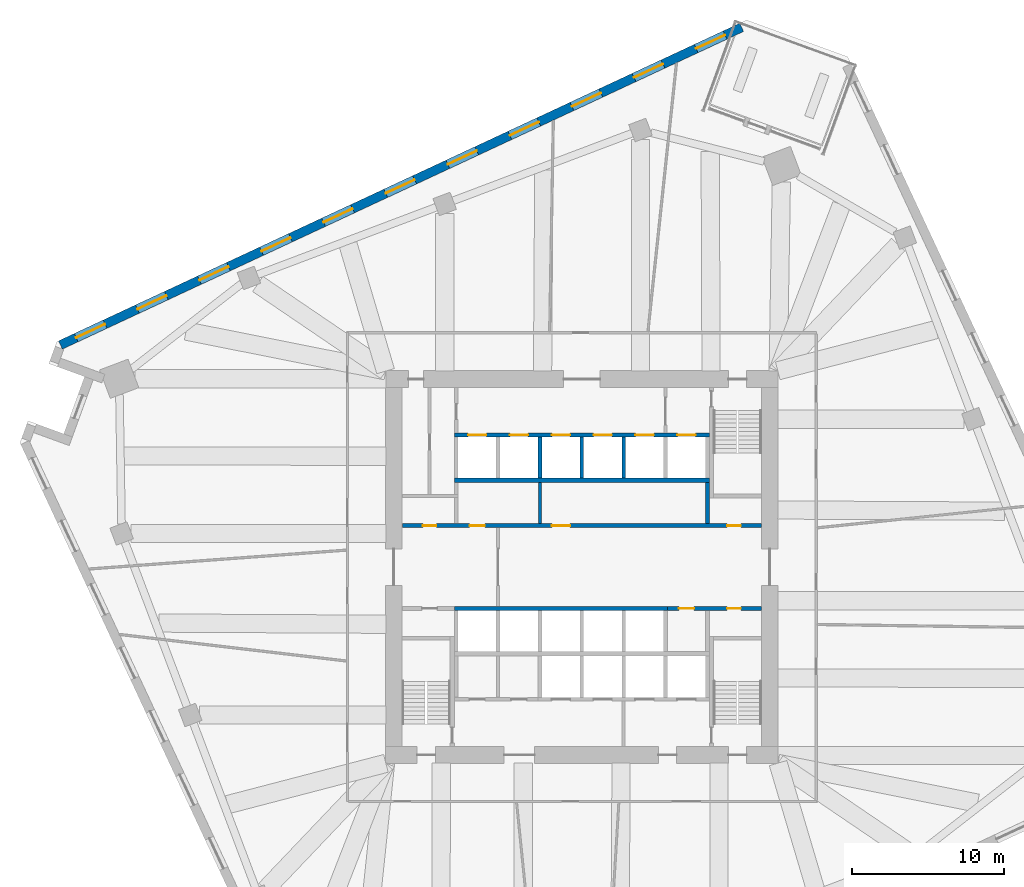
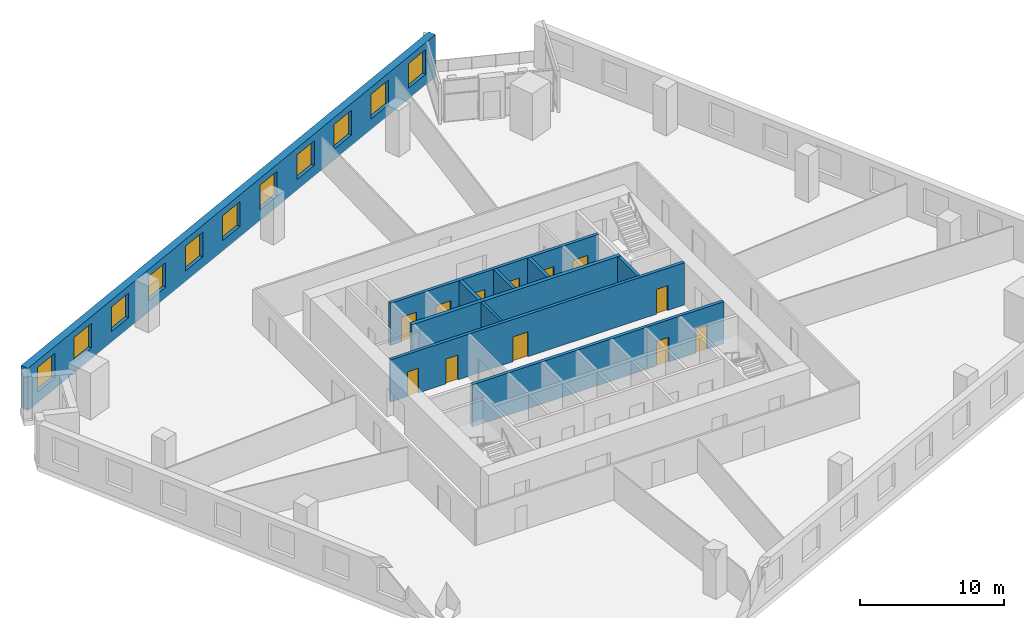
# One storey, part 8 of 12: 12 doors, 11 walls, 11 windows, 23 openings.
"""IFC4 building model written with IfcOpenShell, lengths in metres."""

from ifc_helpers import new_model, si_unit, direction, frame, frame_2d, origin, place, context, subcontext, project, spatial, rectangle, extrude, material, layer, layer_set, type_object, element, fill, save


model = new_model("IFC4")

# Units and contexts
model_context = context("Model", 3, precision=1e-05, world=origin(), true_north=direction((0.0, 1.0)))
body_context = subcontext(model_context, "Body", "Model", "MODEL_VIEW")
ifc_project = project(units=[si_unit("LENGTHUNIT", "METRE"), si_unit("AREAUNIT", "SQUARE_METRE"), si_unit("VOLUMEUNIT", "CUBIC_METRE"), si_unit("PLANEANGLEUNIT", "RADIAN"), si_unit("MASSUNIT", "GRAM", prefix="KILO")], contexts=[model_context])

# Site, building, storey
site_placement = place(None, origin())
site = spatial("IfcSite", under=ifc_project, at=site_placement, CompositionType="ELEMENT")
building_placement = place(site_placement, origin())
building = spatial("IfcBuilding", under=site, at=building_placement, Name="Dilmun Exchange Tower", CompositionType="ELEMENT")
storey_placement = place(building_placement, frame((0.0, 0.0, 122.10009765625)))
storey = spatial("IfcBuildingStorey", under=building, at=storey_placement, Name="L28", CompositionType="ELEMENT", Elevation=122.10009765625)

# Wall
ifc_material_1 = material(Name="Concrete C40/50", Category="concrete")
ifc_layer_1 = layer(ifc_material_1, 0.199951171875)
ifc_layer_set_1 = layer_set([ifc_layer_1], Name="Concrete C40/50")
wall_type_1 = type_object("IfcWallType", Name="Core partition wall 200", PredefinedType="PARTITIONING", material=ifc_layer_set_1)
wall_1_placement = place(storey_placement, frame((-2.75, 2.85498046875, 0.0), z_axis=(0.0, 0.0, 1.0), x_axis=(0.0, 1.0, 0.0)))
element("IfcWall", 1, at=wall_1_placement, inside=storey, type_object=wall_type_1, Name="L28 core partition wall 11", PredefinedType="PARTITIONING", context=body_context, shape_type="SweptSolid", body=[
    extrude(rectangle(XDim=2.68994140625, YDim=0.199951171875, at=frame_2d((1.344970703125, 0.0))), origin(), (0.0, 0.0, 1.0), 3.579833984375),
])

# Wall, openings, doors
ifc_layer_2 = layer(ifc_material_1, 0.25)
ifc_layer_set_2 = layer_set([ifc_layer_2], Name="Concrete C40/50")
wall_type_2 = type_object("IfcWallType", Name="Core partition wall 250", PredefinedType="PARTITIONING", material=ifc_layer_set_2)
wall_2_placement = place(storey_placement, frame((5.6298828125, -2.72509765625, 0.0), z_axis=(0.0, 0.0, 1.0), x_axis=(1.0, 0.0, 0.0)))
wall_2 = element("IfcWall", 2, at=wall_2_placement, inside=storey, type_object=wall_type_2, Name="L28 core partition wall 07", PredefinedType="PARTITIONING", context=body_context, shape_type="SweptSolid", body=[
    extrude(rectangle(XDim=6.1650390625, YDim=0.25, at=frame_2d((3.08251953125, 0.0))), origin(), (0.0, 0.0, 1.0), 3.579833984375),
])
opening_1_placement = place(wall_2_placement, frame((0.7451171875, 0.0, 0.0)))
opening_1 = element("IfcOpeningElement", 3, at=opening_1_placement, cuts=wall_2, Name="Opening CD4", PredefinedType="OPENING", context=body_context, shape_type="SweptSolid", body=[
    extrude(rectangle(XDim=1.0, YDim=2.10009765625, at=frame_2d((0.5, 1.050048828125))), frame((0.0, 0.135009765625, 0.0), z_axis=(0.0, -1.0, 0.0), x_axis=(1.0, 0.0, 0.0)), (0.0, 0.0, 1.0), 0.27001953125),
])
opening_2_placement = place(wall_2_placement, frame((3.919921875, 0.0, 0.0)))
opening_2 = element("IfcOpeningElement", 4, at=opening_2_placement, cuts=wall_2, Name="Opening CD6", PredefinedType="OPENING", context=body_context, shape_type="SweptSolid", body=[
    extrude(rectangle(XDim=0.89990234375, YDim=2.10009765625, at=frame_2d((0.449951171875, 1.050048828125))), frame((0.0, 0.135009765625, 0.0), z_axis=(0.0, -1.0, 0.0), x_axis=(1.0, 0.0, 0.0)), (0.0, 0.0, 1.0), 0.27001953125),
])
ifc_material_2 = material(Name="Fire-rated steel door set", Category="steel")
door_type_1 = type_object("IfcDoorType", Name="Core room door 1000x2100", OperationType="SINGLE_SWING_LEFT", PredefinedType="DOOR", material=ifc_material_2)
door_1_placement = place(opening_1_placement, origin())
door_1 = element("IfcDoor", 5, at=door_1_placement, inside=storey, type_object=door_type_1, Name="L28 door Cleaners' store", OperationType="SINGLE_SWING_LEFT", OverallHeight=2.10009765625, OverallWidth=1.0, PredefinedType="DOOR", context=body_context, shape_type="SweptSolid", body=[
    extrude(rectangle(XDim=1.0, YDim=2.10009765625, at=frame_2d((0.5, 1.050048828125))), frame((0.0, 0.02490234375, 0.0), z_axis=(0.0, -1.0, 0.0), x_axis=(1.0, 0.0, 0.0)), (0.0, 0.0, 1.0), 0.050048828125),
])
fill(opening_1, door_1)
door_type_2 = type_object("IfcDoorType", Name="Core room door 900x2100", OperationType="SINGLE_SWING_LEFT", PredefinedType="DOOR", material=ifc_material_2)
door_2_placement = place(opening_2_placement, origin())
door_2 = element("IfcDoor", 6, at=door_2_placement, inside=storey, type_object=door_type_2, Name="L28 door Comms riser", OperationType="SINGLE_SWING_LEFT", OverallHeight=2.10009765625, OverallWidth=0.89990234375, PredefinedType="DOOR", context=body_context, shape_type="SweptSolid", body=[
    extrude(rectangle(XDim=0.89990234375, YDim=2.10009765625, at=frame_2d((0.449951171875, 1.050048828125))), frame((0.0, 0.02490234375, 0.0), z_axis=(0.0, -1.0, 0.0), x_axis=(1.0, 0.0, 0.0)), (0.0, 0.0, 1.0), 0.050048828125),
])
fill(opening_2, door_2)

wall_3_placement = place(storey_placement, frame((-11.794921875, 2.72509765625, 0.0), z_axis=(0.0, 0.0, 1.0), x_axis=(1.0, 0.0, 0.0)))
wall_3 = element("IfcWall", 7, at=wall_3_placement, inside=storey, type_object=wall_type_2, Name="L28 core partition wall 09", PredefinedType="PARTITIONING", context=body_context, shape_type="SweptSolid", body=[
    extrude(rectangle(XDim=23.58984375, YDim=0.25, at=frame_2d((11.794921875, 0.0))), origin(), (0.0, 0.0, 1.0), 3.579833984375),
])
opening_3_placement = place(wall_3_placement, frame((21.344970703125, 0.0, 0.0)))
opening_3 = element("IfcOpeningElement", 8, at=opening_3_placement, cuts=wall_3, Name="Opening CD6", PredefinedType="OPENING", context=body_context, shape_type="SweptSolid", body=[
    extrude(rectangle(XDim=0.89990234375, YDim=2.10009765625, at=frame_2d((0.449951171875, 1.050048828125))), frame((0.0, 0.135009765625, 0.0), z_axis=(0.0, -1.0, 0.0), x_axis=(1.0, 0.0, 0.0)), (0.0, 0.0, 1.0), 0.27001953125),
])
opening_4_placement = place(wall_3_placement, frame((1.344970703125, 0.0, 0.0)))
opening_4 = element("IfcOpeningElement", 9, at=opening_4_placement, cuts=wall_3, Name="Opening CD6", PredefinedType="OPENING", context=body_context, shape_type="SweptSolid", body=[
    extrude(rectangle(XDim=0.89990234375, YDim=2.10009765625, at=frame_2d((0.449951171875, 1.050048828125))), frame((0.0, 0.135009765625, 0.0), z_axis=(0.0, -1.0, 0.0), x_axis=(1.0, 0.0, 0.0)), (0.0, 0.0, 1.0), 0.27001953125),
])
opening_5_placement = place(wall_3_placement, frame((4.419921875, 0.0, 0.0)))
opening_5 = element("IfcOpeningElement", 10, at=opening_5_placement, cuts=wall_3, Name="Opening CD4", PredefinedType="OPENING", context=body_context, shape_type="SweptSolid", body=[
    extrude(rectangle(XDim=1.0, YDim=2.10009765625, at=frame_2d((0.5, 1.050048828125))), frame((0.0, 0.135009765625, 0.0), z_axis=(0.0, -1.0, 0.0), x_axis=(1.0, 0.0, 0.0)), (0.0, 0.0, 1.0), 0.27001953125),
])
opening_6_placement = place(wall_3_placement, frame((9.820068359375, 0.0, 0.0)))
opening_6 = element("IfcOpeningElement", 11, at=opening_6_placement, cuts=wall_3, Name="Opening CD3", PredefinedType="OPENING", context=body_context, shape_type="SweptSolid", body=[
    extrude(rectangle(XDim=1.199951171875, YDim=2.10009765625, at=frame_2d((0.60009765625, 1.050048828125))), frame((0.0, 0.135009765625, 0.0), z_axis=(0.0, -1.0, 0.0), x_axis=(1.0, 0.0, 0.0)), (0.0, 0.0, 1.0), 0.27001953125),
])
door_3_placement = place(opening_5_placement, origin())
door_3 = element("IfcDoor", 12, at=door_3_placement, inside=storey, type_object=door_type_1, Name="L28 door Mechanical room", OperationType="SINGLE_SWING_LEFT", OverallHeight=2.10009765625, OverallWidth=1.0, PredefinedType="DOOR", context=body_context, shape_type="SweptSolid", body=[
    extrude(rectangle(XDim=1.0, YDim=2.10009765625, at=frame_2d((0.5, 1.050048828125))), frame((0.0, 0.02490234375, 0.0), z_axis=(0.0, -1.0, 0.0), x_axis=(1.0, 0.0, 0.0)), (0.0, 0.0, 1.0), 0.050048828125),
])
fill(opening_5, door_3)
door_4_placement = place(opening_3_placement, origin())
door_4 = element("IfcDoor", 13, at=door_4_placement, inside=storey, type_object=door_type_2, Name="L28 door Electrical riser", OperationType="SINGLE_SWING_LEFT", OverallHeight=2.10009765625, OverallWidth=0.89990234375, PredefinedType="DOOR", context=body_context, shape_type="SweptSolid", body=[
    extrude(rectangle(XDim=0.89990234375, YDim=2.10009765625, at=frame_2d((0.449951171875, 1.050048828125))), frame((0.0, 0.02490234375, 0.0), z_axis=(0.0, -1.0, 0.0), x_axis=(1.0, 0.0, 0.0)), (0.0, 0.0, 1.0), 0.050048828125),
])
fill(opening_3, door_4)
door_5_placement = place(opening_4_placement, origin())
door_5 = element("IfcDoor", 14, at=door_5_placement, inside=storey, type_object=door_type_2, Name="L28 door Plumbing riser", OperationType="SINGLE_SWING_LEFT", OverallHeight=2.10009765625, OverallWidth=0.89990234375, PredefinedType="DOOR", context=body_context, shape_type="SweptSolid", body=[
    extrude(rectangle(XDim=0.89990234375, YDim=2.10009765625, at=frame_2d((0.449951171875, 1.050048828125))), frame((0.0, 0.02490234375, 0.0), z_axis=(0.0, -1.0, 0.0), x_axis=(1.0, 0.0, 0.0)), (0.0, 0.0, 1.0), 0.050048828125),
])
fill(opening_4, door_5)
door_type_3 = type_object("IfcDoorType", Name="Stair exit door 1200x2100", OperationType="SINGLE_SWING_LEFT", PredefinedType="DOOR", material=ifc_material_2)
door_6_placement = place(opening_6_placement, origin())
door_6 = element("IfcDoor", 15, at=door_6_placement, inside=storey, type_object=door_type_3, Name="L28 door Tenant meeting suite", OperationType="SINGLE_SWING_LEFT", OverallHeight=2.10009765625, OverallWidth=1.199951171875, PredefinedType="DOOR", context=body_context, shape_type="SweptSolid", body=[
    extrude(rectangle(XDim=1.199951171875, YDim=2.10009765625, at=frame_2d((0.60009765625, 1.050048828125))), frame((0.0, 0.02490234375, 0.0), z_axis=(0.0, -1.0, 0.0), x_axis=(1.0, 0.0, 0.0)), (0.0, 0.0, 1.0), 0.050048828125),
])
fill(opening_6, door_6)

# Walls
wall_4_placement = place(storey_placement, frame((8.25, 2.85498046875, 0.0), z_axis=(0.0, 0.0, 1.0), x_axis=(0.0, 1.0, 0.0)))
element("IfcWall", 16, at=wall_4_placement, inside=storey, type_object=wall_type_2, Name="L28 core partition wall 12", PredefinedType="PARTITIONING", context=body_context, shape_type="SweptSolid", body=[
    extrude(rectangle(XDim=2.68994140625, YDim=0.25, at=frame_2d((1.344970703125, 0.0))), origin(), (0.0, 0.0, 1.0), 3.579833984375),
])
ifc_layer_3 = layer(ifc_material_1, 0.300048828125)
ifc_layer_set_3 = layer_set([ifc_layer_3], Name="Concrete C40/50")
wall_type_3 = type_object("IfcWallType", Name="Lift shaft shared wall 300", PredefinedType="SOLIDWALL", material=ifc_layer_set_3)
wall_5_placement = place(storey_placement, frame((-8.375, 5.699951171875, 0.0), z_axis=(0.0, 0.0, 1.0), x_axis=(1.0, 0.0, 0.0)))
element("IfcWall", 17, at=wall_5_placement, inside=storey, type_object=wall_type_3, Name="L28 lift shaft rear wall N", PredefinedType="SOLIDWALL", context=body_context, shape_type="SweptSolid", body=[
    extrude(rectangle(XDim=16.75, YDim=0.300048828125, at=frame_2d((8.375, 0.0))), origin(), (0.0, 0.0, 1.0), 3.579833984375),
])

# Wall, openings, doors
ifc_layer_4 = layer(ifc_material_1, 0.25)
ifc_layer_set_4 = layer_set([ifc_layer_4], Name="Concrete C40/50")
wall_type_4 = type_object("IfcWallType", Name="Lift shaft wall 250", PredefinedType="SOLIDWALL", material=ifc_layer_set_4)
wall_6_placement = place(storey_placement, frame((-8.375, 8.675048828125, 0.0), z_axis=(0.0, 0.0, 1.0), x_axis=(1.0, 0.0, 0.0)))
wall_6 = element("IfcWall", 18, at=wall_6_placement, inside=storey, type_object=wall_type_4, Name="L28 lift shaft front wall N2", PredefinedType="SOLIDWALL", context=body_context, shape_type="SweptSolid", body=[
    extrude(rectangle(XDim=16.75, YDim=0.25, at=frame_2d((8.375, 0.0))), origin(), (0.0, 0.0, 1.0), 3.579833984375),
])
opening_7_placement = place(wall_6_placement, frame((0.89990234375, 0.0, 0.0)))
opening_7 = element("IfcOpeningElement", 19, at=opening_7_placement, cuts=wall_6, Name="Opening LD", PredefinedType="OPENING", context=body_context, shape_type="SweptSolid", body=[
    extrude(rectangle(XDim=1.199951171875, YDim=2.10009765625, at=frame_2d((0.60009765625, 1.050048828125))), frame((0.0, 0.135009765625, 0.0), z_axis=(0.0, -1.0, 0.0), x_axis=(1.0, 0.0, 0.0)), (0.0, 0.0, 1.0), 0.27001953125),
])
opening_8_placement = place(wall_6_placement, frame((3.64990234375, 0.0, 0.0)))
opening_8 = element("IfcOpeningElement", 20, at=opening_8_placement, cuts=wall_6, Name="Opening LD", PredefinedType="OPENING", context=body_context, shape_type="SweptSolid", body=[
    extrude(rectangle(XDim=1.199951171875, YDim=2.10009765625, at=frame_2d((0.60009765625, 1.050048828125))), frame((0.0, 0.135009765625, 0.0), z_axis=(0.0, -1.0, 0.0), x_axis=(1.0, 0.0, 0.0)), (0.0, 0.0, 1.0), 0.27001953125),
])
opening_9_placement = place(wall_6_placement, frame((6.39990234375, 0.0, 0.0)))
opening_9 = element("IfcOpeningElement", 21, at=opening_9_placement, cuts=wall_6, Name="Opening LD", PredefinedType="OPENING", context=body_context, shape_type="SweptSolid", body=[
    extrude(rectangle(XDim=1.199951171875, YDim=2.10009765625, at=frame_2d((0.60009765625, 1.050048828125))), frame((0.0, 0.135009765625, 0.0), z_axis=(0.0, -1.0, 0.0), x_axis=(1.0, 0.0, 0.0)), (0.0, 0.0, 1.0), 0.27001953125),
])
opening_10_placement = place(wall_6_placement, frame((9.14990234375, 0.0, 0.0)))
opening_10 = element("IfcOpeningElement", 22, at=opening_10_placement, cuts=wall_6, Name="Opening LD", PredefinedType="OPENING", context=body_context, shape_type="SweptSolid", body=[
    extrude(rectangle(XDim=1.199951171875, YDim=2.10009765625, at=frame_2d((0.60009765625, 1.050048828125))), frame((0.0, 0.135009765625, 0.0), z_axis=(0.0, -1.0, 0.0), x_axis=(1.0, 0.0, 0.0)), (0.0, 0.0, 1.0), 0.27001953125),
])
opening_11_placement = place(wall_6_placement, frame((11.89990234375, 0.0, 0.0)))
opening_11 = element("IfcOpeningElement", 23, at=opening_11_placement, cuts=wall_6, Name="Opening LD", PredefinedType="OPENING", context=body_context, shape_type="SweptSolid", body=[
    extrude(rectangle(XDim=1.199951171875, YDim=2.10009765625, at=frame_2d((0.60009765625, 1.050048828125))), frame((0.0, 0.135009765625, 0.0), z_axis=(0.0, -1.0, 0.0), x_axis=(1.0, 0.0, 0.0)), (0.0, 0.0, 1.0), 0.27001953125),
])
opening_12_placement = place(wall_6_placement, frame((14.64990234375, 0.0, 0.0)))
opening_12 = element("IfcOpeningElement", 24, at=opening_12_placement, cuts=wall_6, Name="Opening LD", PredefinedType="OPENING", context=body_context, shape_type="SweptSolid", body=[
    extrude(rectangle(XDim=1.199951171875, YDim=2.10009765625, at=frame_2d((0.60009765625, 1.050048828125))), frame((0.0, 0.135009765625, 0.0), z_axis=(0.0, -1.0, 0.0), x_axis=(1.0, 0.0, 0.0)), (0.0, 0.0, 1.0), 0.27001953125),
])
door_type_4 = type_object("IfcDoorType", Name="Lift landing door 1200x2100", OperationType="DOUBLE_DOOR_SLIDING", PredefinedType="DOOR", material=ifc_material_2)
door_7_placement = place(opening_7_placement, origin())
door_7 = element("IfcDoor", 25, at=door_7_placement, inside=storey, type_object=door_type_4, Name="L28 landing door LR1", OperationType="DOUBLE_DOOR_SLIDING", OverallHeight=2.10009765625, OverallWidth=1.199951171875, PredefinedType="DOOR", context=body_context, shape_type="SweptSolid", body=[
    extrude(rectangle(XDim=1.199951171875, YDim=2.10009765625, at=frame_2d((0.60009765625, 1.050048828125))), frame((0.0, 0.02490234375, 0.0), z_axis=(0.0, -1.0, 0.0), x_axis=(1.0, 0.0, 0.0)), (0.0, 0.0, 1.0), 0.050048828125),
])
fill(opening_7, door_7)
door_8_placement = place(opening_8_placement, origin())
door_8 = element("IfcDoor", 26, at=door_8_placement, inside=storey, type_object=door_type_4, Name="L28 landing door LR2", OperationType="DOUBLE_DOOR_SLIDING", OverallHeight=2.10009765625, OverallWidth=1.199951171875, PredefinedType="DOOR", context=body_context, shape_type="SweptSolid", body=[
    extrude(rectangle(XDim=1.199951171875, YDim=2.10009765625, at=frame_2d((0.60009765625, 1.050048828125))), frame((0.0, 0.02490234375, 0.0), z_axis=(0.0, -1.0, 0.0), x_axis=(1.0, 0.0, 0.0)), (0.0, 0.0, 1.0), 0.050048828125),
])
fill(opening_8, door_8)
door_9_placement = place(opening_9_placement, origin())
door_9 = element("IfcDoor", 27, at=door_9_placement, inside=storey, type_object=door_type_4, Name="L28 landing door LR3", OperationType="DOUBLE_DOOR_SLIDING", OverallHeight=2.10009765625, OverallWidth=1.199951171875, PredefinedType="DOOR", context=body_context, shape_type="SweptSolid", body=[
    extrude(rectangle(XDim=1.199951171875, YDim=2.10009765625, at=frame_2d((0.60009765625, 1.050048828125))), frame((0.0, 0.02490234375, 0.0), z_axis=(0.0, -1.0, 0.0), x_axis=(1.0, 0.0, 0.0)), (0.0, 0.0, 1.0), 0.050048828125),
])
fill(opening_9, door_9)
door_10_placement = place(opening_10_placement, origin())
door_10 = element("IfcDoor", 28, at=door_10_placement, inside=storey, type_object=door_type_4, Name="L28 landing door LR4", OperationType="DOUBLE_DOOR_SLIDING", OverallHeight=2.10009765625, OverallWidth=1.199951171875, PredefinedType="DOOR", context=body_context, shape_type="SweptSolid", body=[
    extrude(rectangle(XDim=1.199951171875, YDim=2.10009765625, at=frame_2d((0.60009765625, 1.050048828125))), frame((0.0, 0.02490234375, 0.0), z_axis=(0.0, -1.0, 0.0), x_axis=(1.0, 0.0, 0.0)), (0.0, 0.0, 1.0), 0.050048828125),
])
fill(opening_10, door_10)
door_11_placement = place(opening_11_placement, origin())
door_11 = element("IfcDoor", 29, at=door_11_placement, inside=storey, type_object=door_type_4, Name="L28 landing door LR5", OperationType="DOUBLE_DOOR_SLIDING", OverallHeight=2.10009765625, OverallWidth=1.199951171875, PredefinedType="DOOR", context=body_context, shape_type="SweptSolid", body=[
    extrude(rectangle(XDim=1.199951171875, YDim=2.10009765625, at=frame_2d((0.60009765625, 1.050048828125))), frame((0.0, 0.02490234375, 0.0), z_axis=(0.0, -1.0, 0.0), x_axis=(1.0, 0.0, 0.0)), (0.0, 0.0, 1.0), 0.050048828125),
])
fill(opening_11, door_11)
door_12_placement = place(opening_12_placement, origin())
door_12 = element("IfcDoor", 30, at=door_12_placement, inside=storey, type_object=door_type_4, Name="L28 landing door LR6", OperationType="DOUBLE_DOOR_SLIDING", OverallHeight=2.10009765625, OverallWidth=1.199951171875, PredefinedType="DOOR", context=body_context, shape_type="SweptSolid", body=[
    extrude(rectangle(XDim=1.199951171875, YDim=2.10009765625, at=frame_2d((0.60009765625, 1.050048828125))), frame((0.0, 0.02490234375, 0.0), z_axis=(0.0, -1.0, 0.0), x_axis=(1.0, 0.0, 0.0)), (0.0, 0.0, 1.0), 0.050048828125),
])
fill(opening_12, door_12)

# Walls
for number, where, z_axis, x_axis, name in (
    (31, (-2.75, 5.85009765625, 0.0), (0.0, 0.0, 1.0), (0.0, 1.0, 0.0), "L28 lift shaft divider N22"),
    (32, (0.0, 5.85009765625, 0.0), (0.0, 0.0, 1.0), (0.0, 1.0, 0.0), "L28 lift shaft divider N23"),
    (33, (2.75, 5.85009765625, 0.0), (0.0, 0.0, 1.0), (0.0, 1.0, 0.0), "L28 lift shaft divider N24"),
):
    element("IfcWall", number, at=place(storey_placement, frame(where, z_axis=z_axis, x_axis=x_axis)), inside=storey, type_object=wall_type_4, Name=name, PredefinedType="SOLIDWALL", context=body_context, shape_type="SweptSolid", body=[
        extrude(rectangle(XDim=2.699951171875, YDim=0.25, at=frame_2d((1.35009765625, 0.0))), origin(), (0.0, 0.0, 1.0), 3.579833984375),
    ])
wall_7_placement = place(storey_placement, frame((-8.375, -2.72509765625, 0.0), z_axis=(0.0, 0.0, 1.0), x_axis=(1.0, 0.0, 0.0)))
element("IfcWall", 34, at=wall_7_placement, inside=storey, type_object=wall_type_4, Name="L28 lift shaft front wall S1", PredefinedType="SOLIDWALL", context=body_context, shape_type="SweptSolid", body=[
    extrude(rectangle(XDim=14.0, YDim=0.25, at=frame_2d((7.0, 0.0))), origin(), (0.0, 0.0, 1.0), 3.579833984375),
])

# Wall, openings, windows
ifc_material_3 = material(Name="Precast concrete C50/60", Category="concrete")
ifc_layer_5 = layer(ifc_material_3, 0.60009765625)
ifc_layer_set_5 = layer_set([ifc_layer_5], Name="Precast concrete C50/60")
wall_type_5 = type_object("IfcWallType", Name="Precast stone-clad wall 600", PredefinedType="STANDARD", material=ifc_layer_set_5)
wall_8_placement = place(storey_placement, frame((10.498046875, 35.458984375, 0.0), z_axis=(0.0, 0.0, 1.0), x_axis=(-0.906307526065, -0.422618821396, 0.0)))
wall_8 = element("IfcWall", 35, at=wall_8_placement, inside=storey, type_object=wall_type_5, Name="Facade wall L28-03", PredefinedType="STANDARD", context=body_context, shape_type="SweptSolid", body=[
    extrude(rectangle(XDim=49.3759765625, YDim=0.60009765625, at=frame_2d((24.68798828125, 0.0))), origin(), (0.0, 0.0, 1.0), 3.579833984375),
])
opening_13_placement = place(wall_8_placement, frame((1.199951171875, 0.0, 0.89990234375)))
opening_13 = element("IfcOpeningElement", 36, at=opening_13_placement, cuts=wall_8, Name="Opening W210-210", PredefinedType="OPENING", context=body_context, shape_type="SweptSolid", body=[
    extrude(rectangle(XDim=2.10009765625, YDim=2.10009765625, at=frame_2d((1.050048828125, 1.050048828125))), frame((0.0, 0.31005859375, 0.0), z_axis=(0.0, -1.0, 0.0), x_axis=(1.0, 0.0, 0.0)), (0.0, 0.0, 1.0), 0.6201171875),
])
opening_14_placement = place(wall_8_placement, frame((5.699951171875, 0.0, 0.89990234375)))
opening_14 = element("IfcOpeningElement", 37, at=opening_14_placement, cuts=wall_8, Name="Opening W210-210", PredefinedType="OPENING", context=body_context, shape_type="SweptSolid", body=[
    extrude(rectangle(XDim=2.10009765625, YDim=2.10009765625, at=frame_2d((1.050048828125, 1.050048828125))), frame((0.0, 0.31005859375, 0.0), z_axis=(0.0, -1.0, 0.0), x_axis=(1.0, 0.0, 0.0)), (0.0, 0.0, 1.0), 0.6201171875),
])
opening_15_placement = place(wall_8_placement, frame((10.199951171875, 0.0, 0.89990234375)))
opening_15 = element("IfcOpeningElement", 38, at=opening_15_placement, cuts=wall_8, Name="Opening W210-210", PredefinedType="OPENING", context=body_context, shape_type="SweptSolid", body=[
    extrude(rectangle(XDim=2.10009765625, YDim=2.10009765625, at=frame_2d((1.050048828125, 1.050048828125))), frame((0.0, 0.31005859375, 0.0), z_axis=(0.0, -1.0, 0.0), x_axis=(1.0, 0.0, 0.0)), (0.0, 0.0, 1.0), 0.6201171875),
])
opening_16_placement = place(wall_8_placement, frame((14.699951171875, 0.0, 0.89990234375)))
opening_16 = element("IfcOpeningElement", 39, at=opening_16_placement, cuts=wall_8, Name="Opening W210-210", PredefinedType="OPENING", context=body_context, shape_type="SweptSolid", body=[
    extrude(rectangle(XDim=2.10009765625, YDim=2.10009765625, at=frame_2d((1.050048828125, 1.050048828125))), frame((0.0, 0.31005859375, 0.0), z_axis=(0.0, -1.0, 0.0), x_axis=(1.0, 0.0, 0.0)), (0.0, 0.0, 1.0), 0.6201171875),
])
opening_17_placement = place(wall_8_placement, frame((19.199951171875, 0.0, 0.89990234375)))
opening_17 = element("IfcOpeningElement", 40, at=opening_17_placement, cuts=wall_8, Name="Opening W210-210", PredefinedType="OPENING", context=body_context, shape_type="SweptSolid", body=[
    extrude(rectangle(XDim=2.10009765625, YDim=2.10009765625, at=frame_2d((1.050048828125, 1.050048828125))), frame((0.0, 0.31005859375, 0.0), z_axis=(0.0, -1.0, 0.0), x_axis=(1.0, 0.0, 0.0)), (0.0, 0.0, 1.0), 0.6201171875),
])
opening_18_placement = place(wall_8_placement, frame((23.699951171875, 0.0, 0.89990234375)))
opening_18 = element("IfcOpeningElement", 41, at=opening_18_placement, cuts=wall_8, Name="Opening W210-210", PredefinedType="OPENING", context=body_context, shape_type="SweptSolid", body=[
    extrude(rectangle(XDim=2.10009765625, YDim=2.10009765625, at=frame_2d((1.050048828125, 1.050048828125))), frame((0.0, 0.31005859375, 0.0), z_axis=(0.0, -1.0, 0.0), x_axis=(1.0, 0.0, 0.0)), (0.0, 0.0, 1.0), 0.6201171875),
])
opening_19_placement = place(wall_8_placement, frame((28.199951171875, 0.0, 0.89990234375)))
opening_19 = element("IfcOpeningElement", 42, at=opening_19_placement, cuts=wall_8, Name="Opening W210-210", PredefinedType="OPENING", context=body_context, shape_type="SweptSolid", body=[
    extrude(rectangle(XDim=2.10009765625, YDim=2.10009765625, at=frame_2d((1.050048828125, 1.050048828125))), frame((0.0, 0.31005859375, 0.0), z_axis=(0.0, -1.0, 0.0), x_axis=(1.0, 0.0, 0.0)), (0.0, 0.0, 1.0), 0.6201171875),
])
opening_20_placement = place(wall_8_placement, frame((32.699951171875, 0.0, 0.89990234375)))
opening_20 = element("IfcOpeningElement", 43, at=opening_20_placement, cuts=wall_8, Name="Opening W210-210", PredefinedType="OPENING", context=body_context, shape_type="SweptSolid", body=[
    extrude(rectangle(XDim=2.10009765625, YDim=2.10009765625, at=frame_2d((1.050048828125, 1.050048828125))), frame((0.0, 0.31005859375, 0.0), z_axis=(0.0, -1.0, 0.0), x_axis=(1.0, 0.0, 0.0)), (0.0, 0.0, 1.0), 0.6201171875),
])
opening_21_placement = place(wall_8_placement, frame((37.199951171875, 0.0, 0.89990234375)))
opening_21 = element("IfcOpeningElement", 44, at=opening_21_placement, cuts=wall_8, Name="Opening W210-210", PredefinedType="OPENING", context=body_context, shape_type="SweptSolid", body=[
    extrude(rectangle(XDim=2.10009765625, YDim=2.10009765625, at=frame_2d((1.050048828125, 1.050048828125))), frame((0.0, 0.31005859375, 0.0), z_axis=(0.0, -1.0, 0.0), x_axis=(1.0, 0.0, 0.0)), (0.0, 0.0, 1.0), 0.6201171875),
])
opening_22_placement = place(wall_8_placement, frame((41.699951171875, 0.0, 0.89990234375)))
opening_22 = element("IfcOpeningElement", 45, at=opening_22_placement, cuts=wall_8, Name="Opening W210-210", PredefinedType="OPENING", context=body_context, shape_type="SweptSolid", body=[
    extrude(rectangle(XDim=2.10009765625, YDim=2.10009765625, at=frame_2d((1.050048828125, 1.050048828125))), frame((0.0, 0.31005859375, 0.0), z_axis=(0.0, -1.0, 0.0), x_axis=(1.0, 0.0, 0.0)), (0.0, 0.0, 1.0), 0.6201171875),
])
opening_23_placement = place(wall_8_placement, frame((46.137939453125, 0.0, 0.89990234375)))
opening_23 = element("IfcOpeningElement", 46, at=opening_23_placement, cuts=wall_8, Name="Opening W210-210", PredefinedType="OPENING", context=body_context, shape_type="SweptSolid", body=[
    extrude(rectangle(XDim=2.10009765625, YDim=2.10009765625, at=frame_2d((1.050048828125, 1.050048828125))), frame((0.0, 0.31005859375, 0.0), z_axis=(0.0, -1.0, 0.0), x_axis=(1.0, 0.0, 0.0)), (0.0, 0.0, 1.0), 0.6201171875),
])
ifc_material_4 = material(Name="Clear low-emissivity glass in aluminium frame", Category="aluminium")
window_type = type_object("IfcWindowType", Name="Punched window 2100 x 2100", PartitioningType="DOUBLE_PANEL_VERTICAL", PredefinedType="WINDOW", material=ifc_material_4)
window_1_placement = place(opening_13_placement, origin())
window_1 = element("IfcWindow", 47, at=window_1_placement, inside=storey, type_object=window_type, Name="Window 4.1", OverallHeight=2.10009765625, OverallWidth=2.10009765625, PartitioningType="SINGLE_PANEL", PredefinedType="WINDOW", context=body_context, shape_type="SweptSolid", body=[
    extrude(rectangle(XDim=2.10009765625, YDim=2.10009765625, at=frame_2d((1.050048828125, 1.050048828125))), frame((0.0, 0.030029296875, 0.0), z_axis=(0.0, -1.0, 0.0), x_axis=(1.0, 0.0, 0.0)), (0.0, 0.0, 1.0), 0.06005859375),
])
fill(opening_13, window_1)
window_2_placement = place(opening_14_placement, origin())
window_2 = element("IfcWindow", 48, at=window_2_placement, inside=storey, type_object=window_type, Name="Window 4.2", OverallHeight=2.10009765625, OverallWidth=2.10009765625, PartitioningType="SINGLE_PANEL", PredefinedType="WINDOW", context=body_context, shape_type="SweptSolid", body=[
    extrude(rectangle(XDim=2.10009765625, YDim=2.10009765625, at=frame_2d((1.050048828125, 1.050048828125))), frame((0.0, 0.030029296875, 0.0), z_axis=(0.0, -1.0, 0.0), x_axis=(1.0, 0.0, 0.0)), (0.0, 0.0, 1.0), 0.06005859375),
])
fill(opening_14, window_2)
window_3_placement = place(opening_15_placement, origin())
window_3 = element("IfcWindow", 49, at=window_3_placement, inside=storey, type_object=window_type, Name="Window 4.3", OverallHeight=2.10009765625, OverallWidth=2.10009765625, PartitioningType="SINGLE_PANEL", PredefinedType="WINDOW", context=body_context, shape_type="SweptSolid", body=[
    extrude(rectangle(XDim=2.10009765625, YDim=2.10009765625, at=frame_2d((1.050048828125, 1.050048828125))), frame((0.0, 0.030029296875, 0.0), z_axis=(0.0, -1.0, 0.0), x_axis=(1.0, 0.0, 0.0)), (0.0, 0.0, 1.0), 0.06005859375),
])
fill(opening_15, window_3)
window_4_placement = place(opening_16_placement, origin())
window_4 = element("IfcWindow", 50, at=window_4_placement, inside=storey, type_object=window_type, Name="Window 4.4", OverallHeight=2.10009765625, OverallWidth=2.10009765625, PartitioningType="SINGLE_PANEL", PredefinedType="WINDOW", context=body_context, shape_type="SweptSolid", body=[
    extrude(rectangle(XDim=2.10009765625, YDim=2.10009765625, at=frame_2d((1.050048828125, 1.050048828125))), frame((0.0, 0.030029296875, 0.0), z_axis=(0.0, -1.0, 0.0), x_axis=(1.0, 0.0, 0.0)), (0.0, 0.0, 1.0), 0.06005859375),
])
fill(opening_16, window_4)
window_5_placement = place(opening_17_placement, origin())
window_5 = element("IfcWindow", 51, at=window_5_placement, inside=storey, type_object=window_type, Name="Window 4.5", OverallHeight=2.10009765625, OverallWidth=2.10009765625, PartitioningType="SINGLE_PANEL", PredefinedType="WINDOW", context=body_context, shape_type="SweptSolid", body=[
    extrude(rectangle(XDim=2.10009765625, YDim=2.10009765625, at=frame_2d((1.050048828125, 1.050048828125))), frame((0.0, 0.030029296875, 0.0), z_axis=(0.0, -1.0, 0.0), x_axis=(1.0, 0.0, 0.0)), (0.0, 0.0, 1.0), 0.06005859375),
])
fill(opening_17, window_5)
window_6_placement = place(opening_18_placement, origin())
window_6 = element("IfcWindow", 52, at=window_6_placement, inside=storey, type_object=window_type, Name="Window 4.6", OverallHeight=2.10009765625, OverallWidth=2.10009765625, PartitioningType="SINGLE_PANEL", PredefinedType="WINDOW", context=body_context, shape_type="SweptSolid", body=[
    extrude(rectangle(XDim=2.10009765625, YDim=2.10009765625, at=frame_2d((1.050048828125, 1.050048828125))), frame((0.0, 0.030029296875, 0.0), z_axis=(0.0, -1.0, 0.0), x_axis=(1.0, 0.0, 0.0)), (0.0, 0.0, 1.0), 0.06005859375),
])
fill(opening_18, window_6)
window_7_placement = place(opening_19_placement, origin())
window_7 = element("IfcWindow", 53, at=window_7_placement, inside=storey, type_object=window_type, Name="Window 4.7", OverallHeight=2.10009765625, OverallWidth=2.10009765625, PartitioningType="SINGLE_PANEL", PredefinedType="WINDOW", context=body_context, shape_type="SweptSolid", body=[
    extrude(rectangle(XDim=2.10009765625, YDim=2.10009765625, at=frame_2d((1.050048828125, 1.050048828125))), frame((0.0, 0.030029296875, 0.0), z_axis=(0.0, -1.0, 0.0), x_axis=(1.0, 0.0, 0.0)), (0.0, 0.0, 1.0), 0.06005859375),
])
fill(opening_19, window_7)
window_8_placement = place(opening_20_placement, origin())
window_8 = element("IfcWindow", 54, at=window_8_placement, inside=storey, type_object=window_type, Name="Window 4.8", OverallHeight=2.10009765625, OverallWidth=2.10009765625, PartitioningType="SINGLE_PANEL", PredefinedType="WINDOW", context=body_context, shape_type="SweptSolid", body=[
    extrude(rectangle(XDim=2.10009765625, YDim=2.10009765625, at=frame_2d((1.050048828125, 1.050048828125))), frame((0.0, 0.030029296875, 0.0), z_axis=(0.0, -1.0, 0.0), x_axis=(1.0, 0.0, 0.0)), (0.0, 0.0, 1.0), 0.06005859375),
])
fill(opening_20, window_8)
window_9_placement = place(opening_21_placement, origin())
window_9 = element("IfcWindow", 55, at=window_9_placement, inside=storey, type_object=window_type, Name="Window 4.9", OverallHeight=2.10009765625, OverallWidth=2.10009765625, PartitioningType="SINGLE_PANEL", PredefinedType="WINDOW", context=body_context, shape_type="SweptSolid", body=[
    extrude(rectangle(XDim=2.10009765625, YDim=2.10009765625, at=frame_2d((1.050048828125, 1.050048828125))), frame((0.0, 0.030029296875, 0.0), z_axis=(0.0, -1.0, 0.0), x_axis=(1.0, 0.0, 0.0)), (0.0, 0.0, 1.0), 0.06005859375),
])
fill(opening_21, window_9)
window_10_placement = place(opening_22_placement, origin())
window_10 = element("IfcWindow", 56, at=window_10_placement, inside=storey, type_object=window_type, Name="Window 4.10", OverallHeight=2.10009765625, OverallWidth=2.10009765625, PartitioningType="SINGLE_PANEL", PredefinedType="WINDOW", context=body_context, shape_type="SweptSolid", body=[
    extrude(rectangle(XDim=2.10009765625, YDim=2.10009765625, at=frame_2d((1.050048828125, 1.050048828125))), frame((0.0, 0.030029296875, 0.0), z_axis=(0.0, -1.0, 0.0), x_axis=(1.0, 0.0, 0.0)), (0.0, 0.0, 1.0), 0.06005859375),
])
fill(opening_22, window_10)
window_11_placement = place(opening_23_placement, origin())
window_11 = element("IfcWindow", 57, at=window_11_placement, inside=storey, type_object=window_type, Name="Window 4.11", OverallHeight=2.10009765625, OverallWidth=2.10009765625, PartitioningType="SINGLE_PANEL", PredefinedType="WINDOW", context=body_context, shape_type="SweptSolid", body=[
    extrude(rectangle(XDim=2.10009765625, YDim=2.10009765625, at=frame_2d((1.050048828125, 1.050048828125))), frame((0.0, 0.030029296875, 0.0), z_axis=(0.0, -1.0, 0.0), x_axis=(1.0, 0.0, 0.0)), (0.0, 0.0, 1.0), 0.06005859375),
])
fill(opening_23, window_11)

save(model, "model.ifc")
